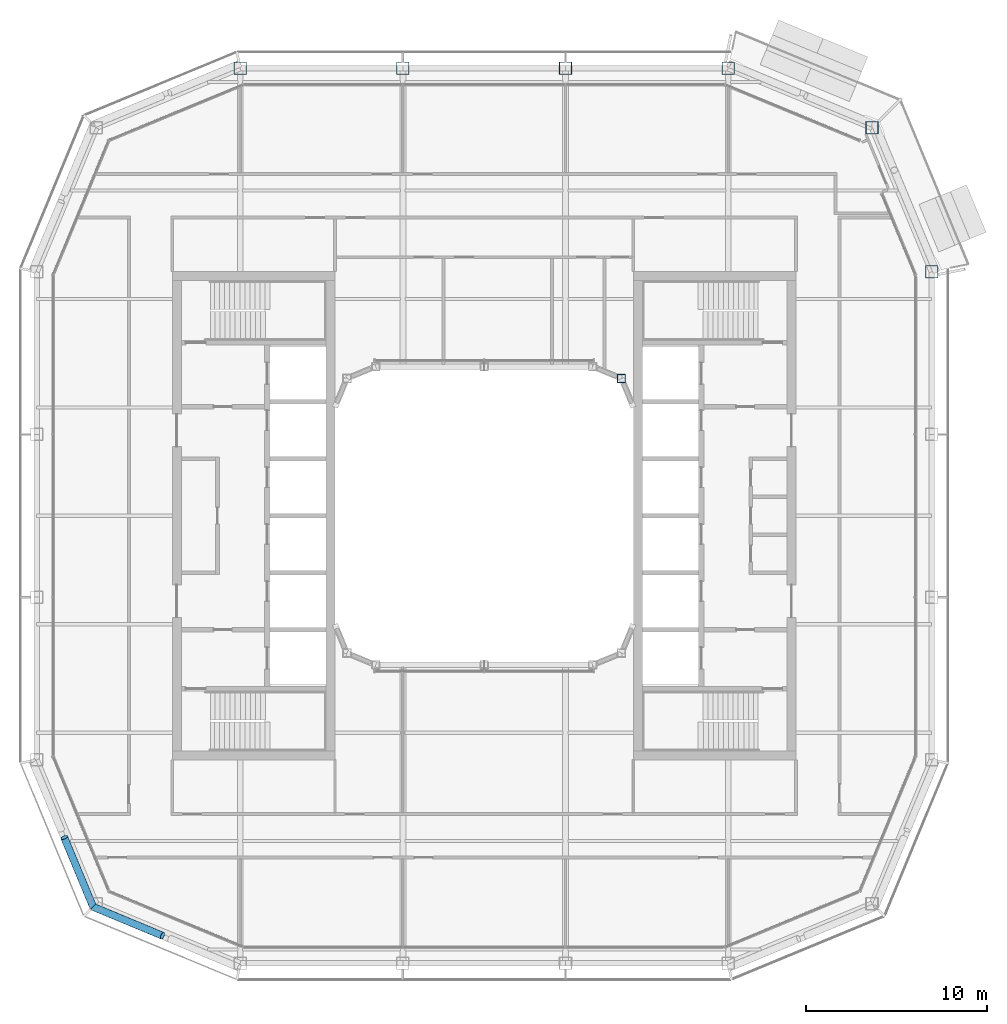
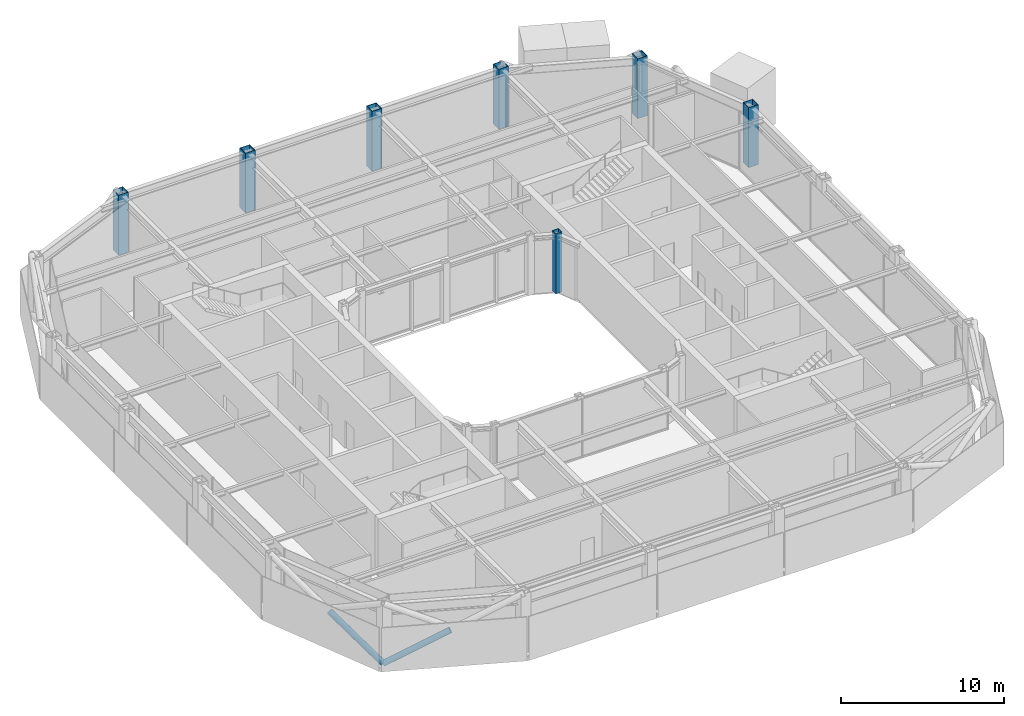
# One storey, part 2 of 21: 7 columns, 2 members.
"""IFC4 building model written with IfcOpenShell, lengths in metres."""

from ifc_helpers import new_model, si_unit, direction, frame, origin, origin_2d, place, context, subcontext, project, spatial, hollow_rectangle, hollow_circle, extrude, material, material_profile, profile_set, type_object, element, save


model = new_model("IFC4")

# Units and contexts
model_context = context("Model", 3, precision=1e-05, world=origin(), true_north=direction((0.0, 1.0)))
body_context = subcontext(model_context, "Body", "Model", "MODEL_VIEW")
ifc_project = project(units=[si_unit("LENGTHUNIT", "METRE"), si_unit("AREAUNIT", "SQUARE_METRE"), si_unit("VOLUMEUNIT", "CUBIC_METRE"), si_unit("PLANEANGLEUNIT", "RADIAN"), si_unit("MASSUNIT", "GRAM", prefix="KILO")], contexts=[model_context])

# Site, building, storey
site_placement = place(None, origin())
site = spatial("IfcSite", under=ifc_project, at=site_placement, CompositionType="ELEMENT")
building_placement = place(site_placement, origin())
building = spatial("IfcBuilding", under=site, at=building_placement, Name="Siwar Civic Tower", CompositionType="ELEMENT")
storey_placement = place(building_placement, frame((0.0, 0.0, 325.699951171875)))
storey = spatial("IfcBuildingStorey", under=building, at=storey_placement, Name="L70", CompositionType="ELEMENT", Elevation=325.699951171875)

# Columns
ifc_material_1 = material(Name="Steel S355", Category="steel")
ifc_material_profile_1 = material_profile(ifc_material_1, hollow_rectangle(XDim=0.699951171875, YDim=0.699951171875, WallThickness=0.035888671875, at=origin_2d()), Name="BOX700x700x36")
ifc_profile_set_1 = profile_set([ifc_material_profile_1], Name="Steel S355")
column_type_1 = type_object("IfcColumnType", Name="STR-COL-BOX700x700x36", PredefinedType="COLUMN", material=ifc_profile_set_1)
for number, where, z_axis, x_axis, name in (
    (1, (24.75, 13.5, 0.0), (0.0, 0.0, 1.0), (1.0, 0.0, 0.0), "L70/col/NE1-0"),
    (2, (21.454833984375, 21.454833984375, 0.0), (0.0, 0.0, 1.0), (1.0, 0.0, 0.0), "L70/col/NE2-0"),
    (3, (13.5, 24.75, 0.0), (0.0, 0.0, 1.0), (1.0, 0.0, 0.0), "L70/col/N-0"),
    (4, (4.5, 24.75, 0.0), (0.0, 0.0, 1.0), (1.0, 0.0, 0.0), "L70/col/N-1"),
    (5, (-4.5, 24.75, 0.0), (0.0, 0.0, 1.0), (1.0, 0.0, 0.0), "L70/col/N-2"),
    (6, (-13.5, 24.75, 0.0), (0.0, 0.0, 1.0), (1.0, 0.0, 0.0), "L70/col/NW1-0"),
):
    element("IfcColumn", number, at=place(storey_placement, frame(where, z_axis=z_axis, x_axis=x_axis)), inside=storey, type_object=column_type_1, Name=name, PredefinedType="COLUMN", context=body_context, shape_type="SweptSolid", body=[
        extrude(hollow_rectangle(XDim=0.699951171875, YDim=0.699951171875, WallThickness=0.035888671875, at=origin_2d()), origin(), (0.0, 0.0, 1.0), 4.5),
    ])
ifc_material_2 = material(Name="Steel S355", Category="steel")
ifc_material_profile_2 = material_profile(ifc_material_2, hollow_rectangle(XDim=0.449951171875, YDim=0.449951171875, WallThickness=0.02197265625, at=origin_2d()), Name="BOX450x450x22")
ifc_profile_set_2 = profile_set([ifc_material_profile_2], Name="Steel S355")
column_type_2 = type_object("IfcColumnType", Name="STR-ICOL-BOX450x450x22", PredefinedType="COLUMN", material=ifc_profile_set_2)
column_placement = place(storey_placement, frame((7.591064453125, 7.591064453125, 0.0), z_axis=(0.0, 0.0, 1.0), x_axis=(1.0, 0.0, 0.0)))
element("IfcColumn", 7, at=column_placement, inside=storey, type_object=column_type_2, Name="L70/col/IN-4", PredefinedType="COLUMN", context=body_context, shape_type="SweptSolid", body=[
    extrude(hollow_rectangle(XDim=0.449951171875, YDim=0.449951171875, WallThickness=0.02197265625, at=origin_2d()), origin(), (0.0, 0.0, 1.0), 4.5),
])

# Members
ifc_material_3 = material(Name="Steel S355", Category="steel")
ifc_material_profile_3 = material_profile(ifc_material_3, hollow_circle(Radius=0.203125, WallThickness=0.01611328125, at=origin_2d()), Name="CHS406.4x16")
ifc_profile_set_3 = profile_set([ifc_material_profile_3], Name="Steel S355")
member_type = type_object("IfcMemberType", Name="STR-BR-CHS406.4x16", PredefinedType="BRACE", material=ifc_profile_set_3)
for number, where, z_axis, x_axis, name in (
    (8, (-21.6318359375, -21.6318359375, 0.0), (0.821147096886, -0.341644380467, 0.457161418507), (0.38413607648, 0.923276488787, 0.0), "L70/brc/DSW1-9-0-2"),
    (9, (-21.6318359375, -21.6318359375, 0.0), (-0.341644380467, 0.821147096886, 0.457161418507), (-0.923276488787, -0.38413607648, 0.0), "L70/brc/DSW1-9-0-4"),
):
    element("IfcMember", number, at=place(storey_placement, frame(where, z_axis=z_axis, x_axis=x_axis)), inside=storey, type_object=member_type, Name=name, PredefinedType="BRACE", context=body_context, shape_type="SweptSolid", body=[
        extrude(hollow_circle(Radius=0.203125, WallThickness=0.01611328125, at=origin_2d()), origin(), (0.0, 0.0, 1.0), 4.677001953125),
    ])

save(model, "model.ifc")
